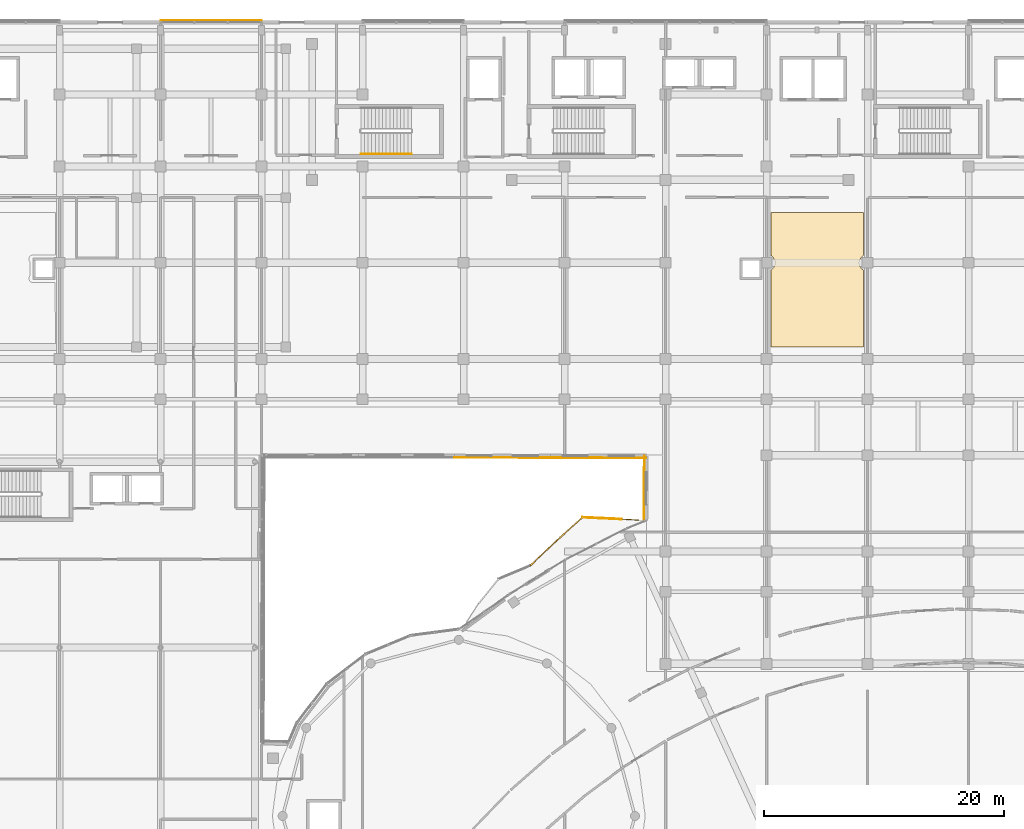
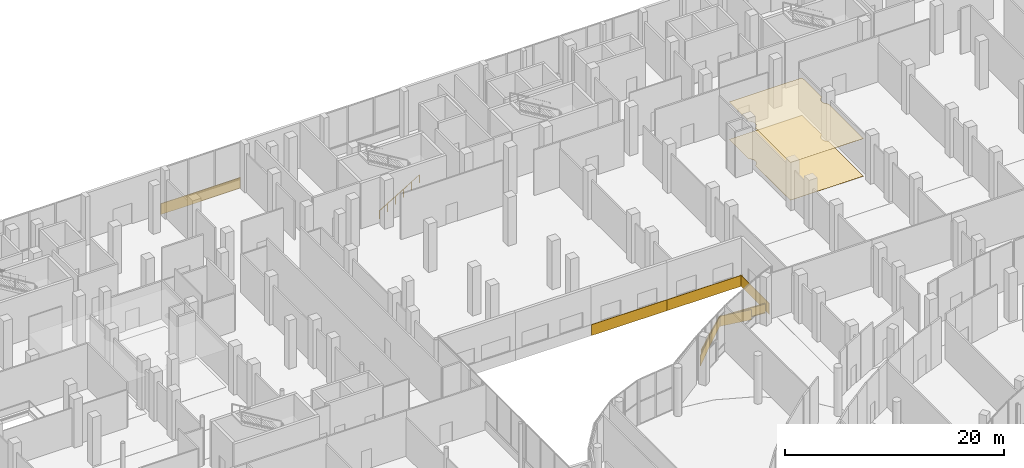
# One storey, part 155 of 158: 9 coverings, 3 railings.
"""IFC4 building model written with IfcOpenShell, lengths in metres."""

from ifc_helpers import new_model, si_unit, direction, frame, origin, origin_2d, place, context, subcontext, project, spatial, polyline, rectangle, circle, outline, extrude, material, layer, layer_set, type_object, element, save


model = new_model("IFC4")

# Units and contexts
model_context = context("Model", 3, precision=1e-05, world=origin(), true_north=direction((0.0, 1.0)))
body_context = subcontext(model_context, "Body", "Model", "MODEL_VIEW")
ifc_project = project(units=[si_unit("LENGTHUNIT", "METRE"), si_unit("AREAUNIT", "SQUARE_METRE"), si_unit("VOLUMEUNIT", "CUBIC_METRE"), si_unit("PLANEANGLEUNIT", "RADIAN"), si_unit("MASSUNIT", "GRAM", prefix="KILO")], contexts=[model_context])

# Site, building, storey
site_placement = place(None, origin())
site = spatial("IfcSite", under=ifc_project, at=site_placement, CompositionType="ELEMENT")
building_placement = place(site_placement, origin())
building = spatial("IfcBuilding", under=site, at=building_placement, Name="Selatvlak General Hospital", CompositionType="ELEMENT")
storey_placement = place(building_placement, origin())
storey = spatial("IfcBuildingStorey", under=building, at=storey_placement, Name="L00", CompositionType="ELEMENT", Elevation=0.0)

# Coverings
ifc_material_1 = material(Name="Acoustic mineral fibre ceiling tile")
ifc_layer_1 = layer(ifc_material_1, 0.02490234375, Name="Acoustic mineral fibre ceiling tile")
ifc_layer_set_1 = layer_set([ifc_layer_1], Name="Acoustic mineral fibre ceiling tile")
covering_type_1 = type_object("IfcCoveringType", Name="COV-CEIL1", PredefinedType="CEILING", material=ifc_layer_set_1)
covering_1_placement = place(storey_placement, frame((0.0, 0.0, 4.179931640625)))
element("IfcCovering", 1, at=covering_1_placement, inside=storey, type_object=covering_type_1, Name="L00 clinical acoustic ceiling 002", PredefinedType="CEILING", context=body_context, shape_type="SweptSolid", body=[
    extrude(outline(polyline([(131.64990234375, 104.199951171875), (131.64990234375, 100.60498046875), (131.611083984375, 100.58203125), (131.555908203125, 100.541015625), (131.5048828125, 100.4951171875), (131.458984375, 100.444091796875), (131.41796875, 100.388916015625), (131.383056640625, 100.330078125), (131.35302734375, 100.26806640625), (131.330078125, 100.202880859375), (131.31298828125, 100.136962890625), (131.302978515625, 100.069091796875), (131.300048828125, 100.0), (131.302978515625, 99.930908203125), (131.31298828125, 99.863037109375), (131.330078125, 99.797119140625), (131.35302734375, 99.73193359375), (131.383056640625, 99.669921875), (131.41796875, 99.611083984375), (131.458984375, 99.555908203125), (131.5048828125, 99.5048828125), (131.555908203125, 99.458984375), (131.611083984375, 99.41796875), (131.64990234375, 99.39501953125), (131.64990234375, 93.0), (123.949951171875, 93.0), (123.949951171875, 99.39501953125), (123.989013671875, 99.41796875), (124.0439453125, 99.458984375), (124.094970703125, 99.5048828125), (124.14111328125, 99.555908203125), (124.181884765625, 99.611083984375), (124.217041015625, 99.669921875), (124.2470703125, 99.73193359375), (124.27001953125, 99.797119140625), (124.287109375, 99.863037109375), (124.297119140625, 99.930908203125), (124.300048828125, 100.0), (124.297119140625, 100.069091796875), (124.287109375, 100.136962890625), (124.27001953125, 100.202880859375), (124.2470703125, 100.26806640625), (124.217041015625, 100.330078125), (124.181884765625, 100.388916015625), (124.14111328125, 100.444091796875), (124.094970703125, 100.4951171875), (124.0439453125, 100.541015625), (123.989013671875, 100.58203125), (123.949951171875, 100.60498046875), (123.949951171875, 104.199951171875), (131.64990234375, 104.199951171875)])), origin(), (0.0, 0.0, 1.0), 0.025146484375),
])
ifc_material_2 = material(Name="Homogeneous anti-static hospital vinyl flooring")
ifc_layer_2 = layer(ifc_material_2, 0.014892578125, Name="Homogeneous anti-static hospital vinyl flooring")
ifc_layer_set_2 = layer_set([ifc_layer_2], Name="Homogeneous anti-static hospital vinyl flooring")
covering_type_2 = type_object("IfcCoveringType", Name="COV-FLR1", PredefinedType="FLOORING", material=ifc_layer_set_2)
covering_2_placement = place(storey_placement, origin())
element("IfcCovering", 2, at=covering_2_placement, inside=storey, type_object=covering_type_2, Name="L00 seamless vinyl flooring 002", PredefinedType="FLOORING", context=body_context, shape_type="SweptSolid", body=[
    extrude(outline(polyline([(131.64990234375, 104.199951171875), (131.64990234375, 100.60498046875), (131.611083984375, 100.58203125), (131.555908203125, 100.541015625), (131.5048828125, 100.4951171875), (131.458984375, 100.444091796875), (131.41796875, 100.388916015625), (131.383056640625, 100.330078125), (131.35302734375, 100.26806640625), (131.330078125, 100.202880859375), (131.31298828125, 100.136962890625), (131.302978515625, 100.069091796875), (131.300048828125, 100.0), (131.302978515625, 99.930908203125), (131.31298828125, 99.863037109375), (131.330078125, 99.797119140625), (131.35302734375, 99.73193359375), (131.383056640625, 99.669921875), (131.41796875, 99.611083984375), (131.458984375, 99.555908203125), (131.5048828125, 99.5048828125), (131.555908203125, 99.458984375), (131.611083984375, 99.41796875), (131.64990234375, 99.39501953125), (131.64990234375, 93.0), (123.949951171875, 93.0), (123.949951171875, 99.39501953125), (123.989013671875, 99.41796875), (124.0439453125, 99.458984375), (124.094970703125, 99.5048828125), (124.14111328125, 99.555908203125), (124.181884765625, 99.611083984375), (124.217041015625, 99.669921875), (124.2470703125, 99.73193359375), (124.27001953125, 99.797119140625), (124.287109375, 99.863037109375), (124.297119140625, 99.930908203125), (124.300048828125, 100.0), (124.297119140625, 100.069091796875), (124.287109375, 100.136962890625), (124.27001953125, 100.202880859375), (124.2470703125, 100.26806640625), (124.217041015625, 100.330078125), (124.181884765625, 100.388916015625), (124.14111328125, 100.444091796875), (124.094970703125, 100.4951171875), (124.0439453125, 100.541015625), (123.989013671875, 100.58203125), (123.949951171875, 100.60498046875), (123.949951171875, 104.199951171875), (131.64990234375, 104.199951171875)])), origin(), (0.0, 0.0, 1.0), 0.014892578125),
])
ifc_material_3 = material(Name="PVDF aluminium fascia - oxide red", Category="aluminium")
ifc_layer_3 = layer(ifc_material_3, 0.070068359375, Name="PVDF aluminium fascia - oxide red", Category="aluminium")
ifc_layer_set_3 = layer_set([ifc_layer_3], Name="PVDF aluminium fascia - oxide red")
covering_type_3 = type_object("IfcCoveringType", Name="COV-RB-RED", PredefinedType="CLADDING", material=ifc_layer_set_3)
covering_3_placement = place(storey_placement, frame((111.535888671875, 78.677001953125, -0.26708984375), z_axis=(0.0, 0.0, 1.0), x_axis=(-0.998907992013, 0.046720696623, 0.0)))
element("IfcCovering", 3, at=covering_3_placement, inside=storey, type_object=covering_type_3, Name="L00 De Stijl waving fascia streamer 083", PredefinedType="CLADDING", context=body_context, shape_type="SweptSolid", body=[
    extrude(outline(polyline([(0.0, 0.0), (3.255615234375, 0.30615234375), (3.255615234375, 1.446044921875), (0.0, 1.139892578125), (0.0, 0.0)])), frame((0.0, 0.03515625, 0.0), z_axis=(0.0, -1.0, 0.0), x_axis=(1.0, 0.0, 0.0)), (0.0, 0.0, 1.0), 0.070068359375),
])
covering_4_placement = place(storey_placement, frame((108.283935546875, 78.8291015625, 0.0390625), z_axis=(0.0, 0.0, 1.0), x_axis=(-0.744216120175, -0.667938894265, 0.0)))
element("IfcCovering", 4, at=covering_4_placement, inside=storey, type_object=covering_type_3, Name="L00 De Stijl waving fascia streamer 084", PredefinedType="CLADDING", context=body_context, shape_type="SweptSolid", body=[
    extrude(outline(polyline([(0.0, 0.0), (2.973388671875, -0.255126953125), (2.973388671875, 0.884765625), (0.0, 1.139892578125), (0.0, 0.0)])), frame((0.0, 0.03515625, 0.0), z_axis=(0.0, -1.0, 0.0), x_axis=(1.0, 0.0, 0.0)), (0.0, 0.0, 1.0), 0.070068359375),
])
covering_5_placement = place(storey_placement, frame((106.072021484375, 76.843017578125, -0.216064453125), z_axis=(0.0, 0.0, 1.0), x_axis=(-0.723736579646, -0.690076345981, 0.0)))
element("IfcCovering", 5, at=covering_5_placement, inside=storey, type_object=covering_type_3, Name="L00 De Stijl waving fascia streamer 085", PredefinedType="CLADDING", context=body_context, shape_type="SweptSolid", body=[
    extrude(outline(polyline([(0.0, 0.0), (2.9375, -0.201904296875), (2.9375, 0.93798828125), (0.0, 1.139892578125), (0.0, 0.0)])), frame((0.0, 0.03515625, 0.0), z_axis=(0.0, -1.0, 0.0), x_axis=(1.0, 0.0, 0.0)), (0.0, 0.0, 1.0), 0.070068359375),
])
ifc_material_4 = material(Name="White Bauhaus fair-faced cladding panel")
ifc_layer_4 = layer(ifc_material_4, 0.054931640625, Name="White Bauhaus fair-faced cladding panel")
ifc_layer_set_4 = layer_set([ifc_layer_4], Name="White Bauhaus fair-faced cladding panel")
covering_type_4 = type_object("IfcCoveringType", Name="COV-WHT1", PredefinedType="CLADDING", material=ifc_layer_set_4)
covering_6_placement = place(storey_placement, frame((77.39990234375, 120.1640625, -0.27978515625), z_axis=(0.0, 0.0, 1.0), x_axis=(1.0, 0.0, 0.0)))
element("IfcCovering", 6, at=covering_6_placement, inside=storey, type_object=covering_type_4, Name="L00 Bauhaus horizontal white spandrel band 0008", PredefinedType="CLADDING", context=body_context, shape_type="SweptSolid", body=[
    extrude(rectangle(XDim=8.39990234375, YDim=0.054931640625, at=origin_2d()), origin(), (0.0, 0.0, 1.0), 1.219970703125),
])
covering_7_placement = place(storey_placement, frame((113.4169921875, 81.2470703125, -0.27978515625), z_axis=(0.0, 0.0, 1.0), x_axis=(0.006859090176, 0.999976476164, 0.0)))
element("IfcCovering", 7, at=covering_7_placement, inside=storey, type_object=covering_type_4, Name="L00 Bauhaus horizontal white spandrel band 0034", PredefinedType="CLADDING", context=body_context, shape_type="SweptSolid", body=[
    extrude(rectangle(XDim=5.387939453125, YDim=0.054931640625, at=origin_2d()), origin(), (0.0, 0.0, 1.0), 1.219970703125),
])
for number, where, z_axis, x_axis, name in (
    (8, (109.60693359375, 83.782958984375, -0.27978515625), (0.0, 0.0, 1.0), (-0.999998223472, 0.001884954476, 0.0), "L00 Bauhaus horizontal white spandrel band 0035"),
    (9, (101.6220703125, 83.798095703125, -0.27978515625), (0.0, 0.0, 1.0), (-0.999998223472, 0.001884954476, 0.0), "L00 Bauhaus horizontal white spandrel band 0036"),
):
    element("IfcCovering", number, at=place(storey_placement, frame(where, z_axis=z_axis, x_axis=x_axis)), inside=storey, type_object=covering_type_4, Name=name, PredefinedType="CLADDING", context=body_context, shape_type="SweptSolid", body=[
        extrude(rectangle(XDim=7.985107421875, YDim=0.054931640625, at=origin_2d()), origin(), (0.0, 0.0, 1.0), 1.219970703125),
    ])

# Railings
ifc_material_5 = material(Name="Stainless steel 316 safety balustrade", Category="steel")
railing_type_1 = type_object("IfcRailingType", Name="RAIL-BAL1", PredefinedType="BALUSTRADE", material=ifc_material_5)
railing_1_placement = place(storey_placement, frame((106.06396484375, 76.85595703125, 0.0)))
element("IfcRailing", 10, at=railing_1_placement, inside=storey, type_object=railing_type_1, Name="L00 continuous curved balcony balustrade 0005", PredefinedType="BALUSTRADE", context=body_context, shape_type="SweptSolid", body=[
    extrude(rectangle(XDim=0.068115234375, YDim=0.068115234375, at=origin_2d()), frame((0.002197265625, 0.001953125, 1.0859375), z_axis=(0.744252748143, 0.667898081208, 0.0), x_axis=(-0.667898081208, 0.744252748143, 0.0)), (0.0, 0.0, 1.0), 2.9677734375),
    extrude(rectangle(XDim=0.068115234375, YDim=0.068115234375, at=origin_2d()), frame((0.002197265625, 0.001953125, 0.049072265625), z_axis=(0.744252748143, 0.667898081208, 0.0), x_axis=(-0.667898081208, 0.744252748143, 0.0)), (0.0, 0.0, 1.0), 2.9677734375),
    extrude(outline(polyline([(0.0, 0.0), (2.961669921875, 0.0), (2.961669921875, 0.94189453125), (0.0, 0.94189453125), (0.0, 0.0)])), frame((-0.007568359375, 0.017333984375, 0.0849609375), z_axis=(0.667898081208, -0.744252748143, 0.0), x_axis=(0.744252748143, 0.667898081208, 0.0)), (0.0, 0.0, 1.0), 0.031982421875),
    extrude(rectangle(XDim=0.068115234375, YDim=0.068115234375, at=origin_2d()), frame((2.216064453125, 1.98583984375, 1.0859375), z_axis=(0.998907992013, -0.046720696623, 0.0), x_axis=(0.046720696623, 0.998907992013, 0.0)), (0.0, 0.0, 1.0), 3.249755859375),
    extrude(rectangle(XDim=0.068115234375, YDim=0.068115234375, at=origin_2d()), frame((2.216064453125, 1.98583984375, 0.049072265625), z_axis=(0.998907992013, -0.046720696623, 0.0), x_axis=(0.046720696623, 0.998907992013, 0.0)), (0.0, 0.0, 1.0), 3.249755859375),
    extrude(outline(polyline([(0.0, 0.0), (3.243408203125, 0.0), (3.243408203125, 0.94189453125), (0.0, 0.94189453125), (0.0, 0.0)])), frame((2.219970703125, 2.003662109375, 0.0849609375), z_axis=(-0.046720696623, -0.998907992013, 0.0), x_axis=(0.998907992013, -0.046720696623, 0.0)), (0.0, 0.0, 1.0), 0.031982421875),
    extrude(rectangle(XDim=0.068115234375, YDim=0.068115234375, at=origin_2d()), frame((5.468017578125, 1.833740234375, 1.0859375), z_axis=(0.998267879961, -0.058832302674, 0.0), x_axis=(0.058832302674, 0.998267879961, 0.0)), (0.0, 0.0, 1.0), 1.421630859375),
    extrude(rectangle(XDim=0.068115234375, YDim=0.068115234375, at=origin_2d()), frame((5.468017578125, 1.833740234375, 0.049072265625), z_axis=(0.998267879961, -0.058832302674, 0.0), x_axis=(0.058832302674, 0.998267879961, 0.0)), (0.0, 0.0, 1.0), 1.421630859375),
    extrude(outline(polyline([(0.0, 0.0), (1.41552734375, 0.0), (1.41552734375, 0.94189453125), (0.0, 0.94189453125), (0.0, 0.0)])), frame((5.47216796875, 1.8515625, 0.0849609375), z_axis=(-0.058832302674, -0.998267879961, 0.0), x_axis=(0.998267879961, -0.058832302674, 0.0)), (0.0, 0.0, 1.0), 0.031982421875),
    extrude(rectangle(XDim=0.055908203125, YDim=0.055908203125, at=origin_2d()), origin(), (0.0, 0.0, 1.0), 1.049072265625),
    extrude(rectangle(XDim=0.055908203125, YDim=0.055908203125, at=origin_2d()), frame((1.1064453125, 0.9931640625, 0.0)), (0.0, 0.0, 1.0), 1.049072265625),
    extrude(rectangle(XDim=0.055908203125, YDim=0.055908203125, at=origin_2d()), frame((2.213134765625, 1.986083984375, 0.0)), (0.0, 0.0, 1.0), 1.049072265625),
    extrude(rectangle(XDim=0.055908203125, YDim=0.055908203125, at=origin_2d()), frame((3.839111328125, 1.91015625, 0.0)), (0.0, 0.0, 1.0), 1.049072265625),
    extrude(rectangle(XDim=0.055908203125, YDim=0.055908203125, at=origin_2d()), frame((5.465087890625, 1.833984375, 0.0)), (0.0, 0.0, 1.0), 1.049072265625),
    extrude(rectangle(XDim=0.055908203125, YDim=0.055908203125, at=origin_2d()), frame((6.89013671875, 1.75, 0.0)), (0.0, 0.0, 1.0), 1.049072265625),
])
railing_2_placement = place(storey_placement, frame((104.256103515625, 75.132080078125, 0.0)))
element("IfcRailing", 11, at=railing_2_placement, inside=storey, type_object=railing_type_1, Name="L00 continuous curved balcony balustrade 0007", PredefinedType="BALUSTRADE", context=body_context, shape_type="SweptSolid", body=[
    extrude(rectangle(XDim=0.068115234375, YDim=0.068115234375, at=origin_2d()), frame((0.002197265625, 0.001953125, 1.0859375), z_axis=(0.723717111965, 0.690096762671, 0.0), x_axis=(-0.690096762671, 0.723717111965, 0.0)), (0.0, 0.0, 1.0), 2.4921875),
    extrude(rectangle(XDim=0.068115234375, YDim=0.068115234375, at=origin_2d()), frame((0.002197265625, 0.001953125, 0.049072265625), z_axis=(0.723717111965, 0.690096762671, 0.0), x_axis=(-0.690096762671, 0.723717111965, 0.0)), (0.0, 0.0, 1.0), 2.4921875),
    extrude(outline(polyline([(0.0, 0.0), (2.486083984375, 0.0), (2.486083984375, 0.94189453125), (0.0, 0.94189453125), (0.0, 0.0)])), frame((-0.008056640625, 0.01708984375, 0.0849609375), z_axis=(0.690096762671, -0.723717111965, 0.0), x_axis=(0.723717111965, 0.690096762671, 0.0)), (0.0, 0.0, 1.0), 0.031982421875),
    extrude(rectangle(XDim=0.055908203125, YDim=0.055908203125, at=origin_2d()), origin(), (0.0, 0.0, 1.0), 1.049072265625),
    extrude(rectangle(XDim=0.055908203125, YDim=0.055908203125, at=origin_2d()), frame((0.90380859375, 0.86181640625, 0.0)), (0.0, 0.0, 1.0), 1.049072265625),
    extrude(rectangle(XDim=0.055908203125, YDim=0.055908203125, at=origin_2d()), frame((1.807861328125, 1.723876953125, 0.0)), (0.0, 0.0, 1.0), 1.049072265625),
])
ifc_material_6 = material(Name="Stainless steel 316 handrail", Category="steel")
railing_type_2 = type_object("IfcRailingType", Name="RAIL-STH", PredefinedType="HANDRAIL", material=ifc_material_6)
railing_3_placement = place(storey_placement, frame((89.860107421875, 109.050048828125, 0.179931640625)))
element("IfcRailing", 12, at=railing_3_placement, inside=storey, type_object=railing_type_2, Name="L00 ST-02 stair handrail 1", PredefinedType="HANDRAIL", context=body_context, shape_type="SweptSolid", body=[
    extrude(circle(Radius=0.02392578125, at=origin_2d()), frame((0.00244140625, 0.0, 0.87744140625), z_axis=(0.857488527567, 0.0, 0.514503085598), x_axis=(0.0, 1.0, 0.0)), (0.0, 0.0, 1.0), 4.89208984375),
    extrude(circle(Radius=0.02099609375, at=origin_2d()), origin(), (0.0, 0.0, 1.0), 0.848876953125),
    extrude(circle(Radius=0.02099609375, at=origin_2d()), frame((0.840087890625, 0.0, 0.50390625)), (0.0, 0.0, 1.0), 0.848876953125),
    extrude(circle(Radius=0.02099609375, at=origin_2d()), frame((1.679931640625, 0.0, 1.008056640625)), (0.0, 0.0, 1.0), 0.848876953125),
    extrude(circle(Radius=0.02099609375, at=origin_2d()), frame((2.52001953125, 0.0, 1.511962890625)), (0.0, 0.0, 1.0), 0.848876953125),
    extrude(circle(Radius=0.02099609375, at=origin_2d()), frame((3.35986328125, 0.0, 2.01611328125)), (0.0, 0.0, 1.0), 0.848876953125),
    extrude(circle(Radius=0.02099609375, at=origin_2d()), frame((4.199951171875, 0.0, 2.52001953125)), (0.0, 0.0, 1.0), 0.848876953125),
])

save(model, "model.ifc")
